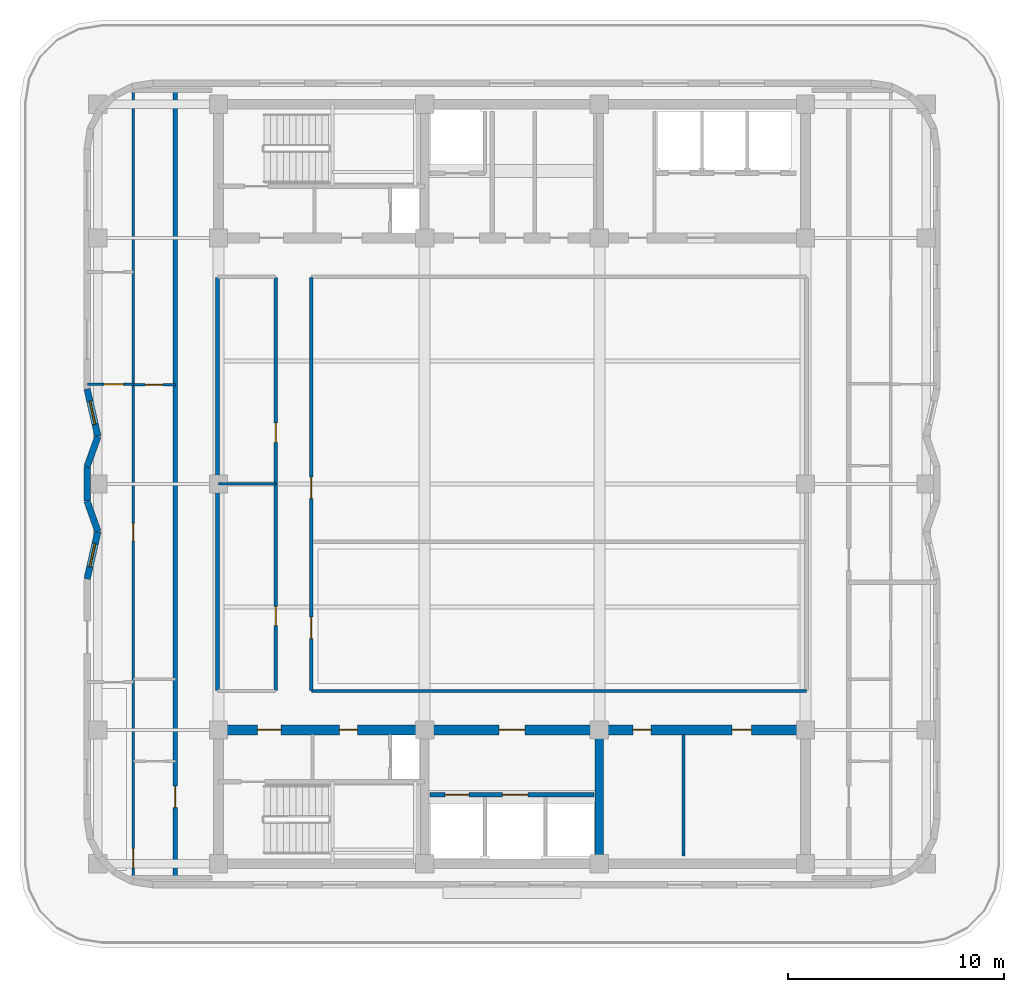
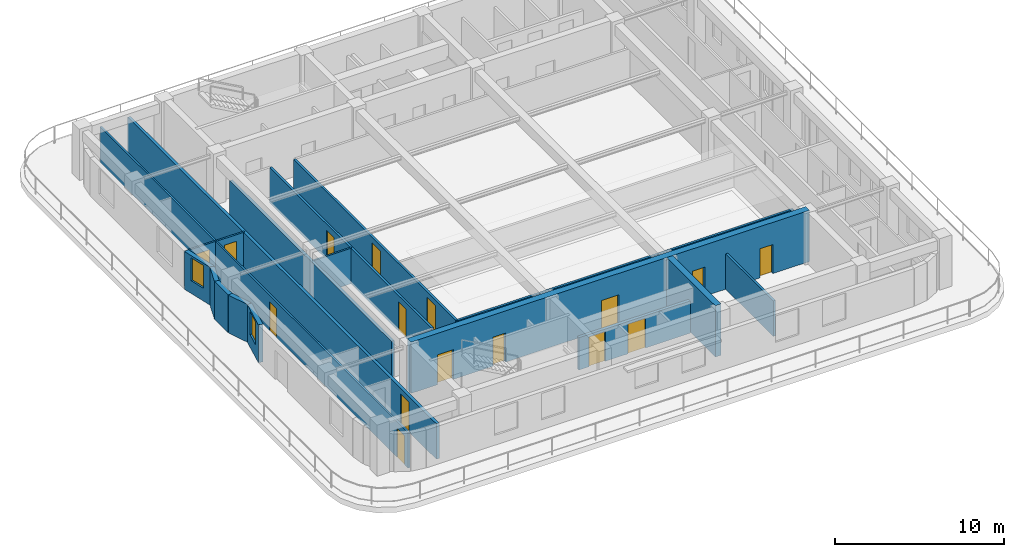
# One storey, part 3 of 9: 18 walls, 16 doors, 2 windows, 18 openings.
"""IFC4 building model written with IfcOpenShell, lengths in metres."""

from ifc_helpers import new_model, si_unit, direction, frame, frame_2d, origin, place, context, subcontext, project, spatial, rectangle, extrude, material, layer, layer_set, type_object, element, fill, save


model = new_model("IFC4")

# Units and contexts
model_context = context("Model", 3, precision=1e-05, world=origin(), true_north=direction((0.0, 1.0)))
body_context = subcontext(model_context, "Body", "Model", "MODEL_VIEW")
ifc_project = project(units=[si_unit("LENGTHUNIT", "METRE"), si_unit("AREAUNIT", "SQUARE_METRE"), si_unit("VOLUMEUNIT", "CUBIC_METRE"), si_unit("PLANEANGLEUNIT", "RADIAN"), si_unit("MASSUNIT", "GRAM", prefix="KILO")], contexts=[model_context])

# Site, building, storey
site_placement = place(None, origin())
site = spatial("IfcSite", under=ifc_project, at=site_placement, CompositionType="ELEMENT")
building_placement = place(site_placement, origin())
building = spatial("IfcBuilding", under=site, at=building_placement, Name="Svetorya Sky Lyceum", CompositionType="ELEMENT")
storey_placement = place(building_placement, frame((0.0, 0.0, 225.800048828125)))
storey = spatial("IfcBuildingStorey", under=building, at=storey_placement, Name="L56", CompositionType="ELEMENT", Elevation=225.800048828125)

# Wall
ifc_material_1 = material(Name="Concrete C40/50", Category="concrete")
ifc_layer_1 = layer(ifc_material_1, 0.39990234375)
ifc_layer_set_1 = layer_set([ifc_layer_1], Name="Concrete C40/50")
wall_type_1 = type_object("IfcWallType", Name="WL-CORE-400", PredefinedType="SHEAR", material=ifc_layer_set_1)
wall_1_placement = place(storey_placement, frame((43.25, 10.824951171875, 0.0), z_axis=(0.0, 0.0, 1.0), x_axis=(0.0, 1.0, 0.0)))
element("IfcWall", 1, at=wall_1_placement, inside=storey, type_object=wall_type_1, Name="L56 SC Internal Shear Web WEB2", PredefinedType="SHEAR", context=body_context, shape_type="SweptSolid", body=[
    extrude(rectangle(XDim=5.75, YDim=0.39990234375, at=frame_2d((2.875, 0.0))), origin(), (0.0, 0.0, 1.0), 3.699951171875),
])

# Wall, openings, doors
ifc_material_2 = material(Name="Concrete C50/60", Category="concrete")
ifc_layer_2 = layer(ifc_material_2, 0.449951171875)
ifc_layer_set_2 = layer_set([ifc_layer_2], Name="Concrete C50/60")
wall_type_2 = type_object("IfcWallType", Name="WL-CORE-450", PredefinedType="SHEAR", material=ifc_layer_set_2)
wall_2_placement = place(storey_placement, frame((25.60009765625, 16.800048828125, 0.0), z_axis=(0.0, 0.0, 1.0), x_axis=(1.0, 0.0, 0.0)))
wall_2 = element("IfcWall", 2, at=wall_2_placement, inside=storey, type_object=wall_type_2, Name="L56 SC Inner Core Shear Wall", PredefinedType="SHEAR", context=body_context, shape_type="SweptSolid", body=[
    extrude(rectangle(XDim=27.199951171875, YDim=0.449951171875, at=frame_2d((13.60009765625, 0.0))), origin(), (0.0, 0.0, 1.0), 3.699951171875),
])
opening_1_placement = place(wall_2_placement, frame((1.800048828125, 0.0, 0.0)))
opening_1 = element("IfcOpeningElement", 3, at=opening_1_placement, cuts=wall_2, Name="Opening D-ST1", PredefinedType="OPENING", context=body_context, shape_type="SweptSolid", body=[
    extrude(rectangle(XDim=1.10009765625, YDim=2.14990234375, at=frame_2d((0.550048828125, 1.074951171875))), frame((0.0, 0.23486328125, 0.0), z_axis=(0.0, -1.0, 0.0), x_axis=(1.0, 0.0, 0.0)), (0.0, 0.0, 1.0), 0.469970703125),
])
opening_2_placement = place(wall_2_placement, frame((5.60009765625, 0.0, 0.0)))
opening_2 = element("IfcOpeningElement", 4, at=opening_2_placement, cuts=wall_2, Name="Opening D-CWC1", PredefinedType="OPENING", context=body_context, shape_type="SweptSolid", body=[
    extrude(rectangle(XDim=0.85009765625, YDim=2.10009765625, at=frame_2d((0.425048828125, 1.050048828125))), frame((0.0, 0.23486328125, 0.0), z_axis=(0.0, -1.0, 0.0), x_axis=(1.0, 0.0, 0.0)), (0.0, 0.0, 1.0), 0.469970703125),
])
opening_3_placement = place(wall_2_placement, frame((13.0, 0.0, 0.0)))
opening_3 = element("IfcOpeningElement", 5, at=opening_3_placement, cuts=wall_2, Name="Opening D-FL1", PredefinedType="OPENING", context=body_context, shape_type="SweptSolid", body=[
    extrude(rectangle(XDim=1.199951171875, YDim=2.14990234375, at=frame_2d((0.60009765625, 1.074951171875))), frame((0.0, 0.23486328125, 0.0), z_axis=(0.0, -1.0, 0.0), x_axis=(1.0, 0.0, 0.0)), (0.0, 0.0, 1.0), 0.469970703125),
])
opening_4_placement = place(wall_2_placement, frame((19.199951171875, 0.0, 0.0)))
opening_4 = element("IfcOpeningElement", 6, at=opening_4_placement, cuts=wall_2, Name="Opening D-CWC1", PredefinedType="OPENING", context=body_context, shape_type="SweptSolid", body=[
    extrude(rectangle(XDim=0.85009765625, YDim=2.10009765625, at=frame_2d((0.425048828125, 1.050048828125))), frame((0.0, 0.23486328125, 0.0), z_axis=(0.0, -1.0, 0.0), x_axis=(1.0, 0.0, 0.0)), (0.0, 0.0, 1.0), 0.469970703125),
])
opening_5_placement = place(wall_2_placement, frame((23.800048828125, 0.0, 0.0)))
opening_5 = element("IfcOpeningElement", 7, at=opening_5_placement, cuts=wall_2, Name="Opening D-RM1", PredefinedType="OPENING", context=body_context, shape_type="SweptSolid", body=[
    extrude(rectangle(XDim=0.89990234375, YDim=2.10009765625, at=frame_2d((0.449951171875, 1.050048828125))), frame((0.0, 0.23486328125, 0.0), z_axis=(0.0, -1.0, 0.0), x_axis=(1.0, 0.0, 0.0)), (0.0, 0.0, 1.0), 0.469970703125),
])
ifc_material_3 = material(Name="Fire-rated galvanized steel core service closet door", Category="steel")
door_type_1 = type_object("IfcDoorType", Name="DR-CWET-850", OperationType="SINGLE_SWING_LEFT", PredefinedType="DOOR", material=ifc_material_3)
door_1_placement = place(opening_2_placement, origin())
door_1 = element("IfcDoor", 8, at=door_1_placement, inside=storey, type_object=door_type_1, Name="L56 South Hydrant Room Door", OperationType="SINGLE_SWING_LEFT", OverallHeight=2.10009765625, OverallWidth=0.85009765625, PredefinedType="DOOR", context=body_context, shape_type="SweptSolid", body=[
    extrude(rectangle(XDim=0.85009765625, YDim=2.10009765625, at=frame_2d((0.425048828125, 1.050048828125))), frame((0.0, 0.02490234375, 0.0), z_axis=(0.0, -1.0, 0.0), x_axis=(1.0, 0.0, 0.0)), (0.0, 0.0, 1.0), 0.050048828125),
])
fill(opening_2, door_1)
door_2_placement = place(opening_4_placement, origin())
door_2 = element("IfcDoor", 9, at=door_2_placement, inside=storey, type_object=door_type_1, Name="L56 Laundry Door", OperationType="SINGLE_SWING_RIGHT", OverallHeight=2.10009765625, OverallWidth=0.85009765625, PredefinedType="DOOR", context=body_context, shape_type="SweptSolid", body=[
    extrude(rectangle(XDim=0.85009765625, YDim=2.10009765625, at=frame_2d((0.425048828125, 1.050048828125))), frame((0.0, 0.02490234375, 0.0), z_axis=(0.0, -1.0, 0.0), x_axis=(1.0, 0.0, 0.0)), (0.0, 0.0, 1.0), 0.050048828125),
])
fill(opening_4, door_2)
ifc_material_4 = material(Name="Powder-coated insulated galvanized stair fire door")
door_type_2 = type_object("IfcDoorType", Name="DR-FIRE-1100", OperationType="SINGLE_SWING_LEFT", PredefinedType="DOOR", material=ifc_material_4)
door_3_placement = place(opening_1_placement, origin())
door_3 = element("IfcDoor", 10, at=door_3_placement, inside=storey, type_object=door_type_2, Name="L56 South Stair Airlock Door", OperationType="SINGLE_SWING_RIGHT", OverallHeight=2.14990234375, OverallWidth=1.10009765625, PredefinedType="DOOR", context=body_context, shape_type="SweptSolid", body=[
    extrude(rectangle(XDim=1.10009765625, YDim=2.14990234375, at=frame_2d((0.550048828125, 1.074951171875))), frame((0.0, 0.02490234375, 0.0), z_axis=(0.0, -1.0, 0.0), x_axis=(1.0, 0.0, 0.0)), (0.0, 0.0, 1.0), 0.050048828125),
])
fill(opening_1, door_3)
ifc_material_5 = material(Name="Powder-coated insulated galvanized fire door")
door_type_3 = type_object("IfcDoorType", Name="DR-FIRE-1200", OperationType="SINGLE_SWING_LEFT", PredefinedType="DOOR", material=ifc_material_5)
door_4_placement = place(opening_3_placement, origin())
door_4 = element("IfcDoor", 11, at=door_4_placement, inside=storey, type_object=door_type_3, Name="L56 South Firefighting Lift Lobby Door", OperationType="SINGLE_SWING_LEFT", OverallHeight=2.14990234375, OverallWidth=1.199951171875, PredefinedType="DOOR", context=body_context, shape_type="SweptSolid", body=[
    extrude(rectangle(XDim=1.199951171875, YDim=2.14990234375, at=frame_2d((0.60009765625, 1.074951171875))), frame((0.0, 0.02490234375, 0.0), z_axis=(0.0, -1.0, 0.0), x_axis=(1.0, 0.0, 0.0)), (0.0, 0.0, 1.0), 0.050048828125),
])
fill(opening_3, door_4)
ifc_material_6 = material(Name="Lacquered birch veneer internal door")
door_type_4 = type_object("IfcDoorType", Name="DR-INT-900", OperationType="SINGLE_SWING_LEFT", PredefinedType="DOOR", material=ifc_material_6)
door_5_placement = place(opening_5_placement, origin())
door_5 = element("IfcDoor", 12, at=door_5_placement, inside=storey, type_object=door_type_4, Name="L56 Pantry Door", OperationType="SINGLE_SWING_LEFT", OverallHeight=2.10009765625, OverallWidth=0.89990234375, PredefinedType="DOOR", context=body_context, shape_type="SweptSolid", body=[
    extrude(rectangle(XDim=0.89990234375, YDim=2.10009765625, at=frame_2d((0.449951171875, 1.050048828125))), frame((0.0, 0.02490234375, 0.0), z_axis=(0.0, -1.0, 0.0), x_axis=(1.0, 0.0, 0.0)), (0.0, 0.0, 1.0), 0.050048828125),
])
fill(opening_5, door_5)

# Wall, opening, window
ifc_material_7 = material(Name="Putilovo limestone rainscreen on autoclaved cellular masonry", Category="masonry")
ifc_layer_3 = layer(ifc_material_7, 0.300048828125)
ifc_layer_set_3 = layer_set([ifc_layer_3], Name="Putilovo limestone rainscreen on autoclaved cellular masonry")
wall_type_3 = type_object("IfcWallType", Name="WL-EXT-300", PredefinedType="SOLIDWALL", material=ifc_layer_set_3)
wall_3_placement = place(storey_placement, frame((19.510009765625, 32.60009765625, 0.0), z_axis=(0.0, 0.0, 1.0), x_axis=(0.221602396322, -0.975137107254, 0.0)))
wall_3 = element("IfcWall", 13, at=wall_3_placement, inside=storey, type_object=wall_type_3, Name="L56 Limestone Exterior Wall 31M", PredefinedType="SOLIDWALL", context=body_context, shape_type="SweptSolid", body=[
    extrude(rectangle(XDim=2.25634765625, YDim=0.300048828125, at=frame_2d((1.128173828125, 0.0))), origin(), (0.0, 0.0, 1.0), 2.72998046875),
])
opening_6_placement = place(wall_3_placement, frame((0.578125, 0.0, 0.919921875)))
opening_6 = element("IfcOpeningElement", 14, at=opening_6_placement, cuts=wall_3, Name="Opening W-R3", PredefinedType="OPENING", context=body_context, shape_type="SweptSolid", body=[
    extrude(rectangle(XDim=1.10009765625, YDim=1.64990234375, at=frame_2d((0.550048828125, 0.824951171875))), frame((0.0, 0.159912109375, 0.0), z_axis=(0.0, -1.0, 0.0), x_axis=(1.0, 0.0, 0.0)), (0.0, 0.0, 1.0), 0.320068359375),
])
ifc_material_8 = material(Name="Thermally broken aluminium frame with triple low-E glazing", Category="aluminium")
window_type = type_object("IfcWindowType", Name="WN-RES-110", PartitioningType="SINGLE_PANEL", PredefinedType="WINDOW", material=ifc_material_8)
window_1_placement = place(opening_6_placement, origin())
window_1 = element("IfcWindow", 15, at=window_1_placement, inside=storey, type_object=window_type, Name="L56 Facade Window W-R3.31M.1", OverallHeight=1.64990234375, OverallWidth=1.10009765625, PartitioningType="SINGLE_PANEL", PredefinedType="WINDOW", context=body_context, shape_type="SweptSolid", body=[
    extrude(rectangle(XDim=1.10009765625, YDim=1.64990234375, at=frame_2d((0.550048828125, 0.824951171875))), frame((0.0, 0.030029296875, 0.0), z_axis=(0.0, -1.0, 0.0), x_axis=(1.0, 0.0, 0.0)), (0.0, 0.0, 1.0), 0.06005859375),
])
fill(opening_6, window_1)

# Walls
wall_4_placement = place(storey_placement, frame((20.010009765625, 30.39990234375, 0.0), z_axis=(0.0, 0.0, 1.0), x_axis=(-0.336357205213, -0.94173447983, 0.0)))
element("IfcWall", 16, at=wall_4_placement, inside=storey, type_object=wall_type_3, Name="L56 Limestone Exterior Wall 32M", PredefinedType="SOLIDWALL", context=body_context, shape_type="SweptSolid", body=[
    extrude(rectangle(XDim=1.486572265625, YDim=0.300048828125, at=frame_2d((0.7431640625, 0.0))), origin(), (0.0, 0.0, 1.0), 2.72998046875),
])
wall_5_placement = place(storey_placement, frame((19.510009765625, 29.0, 0.0), z_axis=(0.0, 0.0, 1.0), x_axis=(0.0, -1.0, 0.0)))
element("IfcWall", 17, at=wall_5_placement, inside=storey, type_object=wall_type_3, Name="L56 Limestone Exterior Wall 33M", PredefinedType="SOLIDWALL", context=body_context, shape_type="SweptSolid", body=[
    extrude(rectangle(XDim=1.60009765625, YDim=0.300048828125, at=frame_2d((0.800048828125, 0.0))), origin(), (0.0, 0.0, 1.0), 2.72998046875),
])
wall_6_placement = place(storey_placement, frame((19.510009765625, 27.39990234375, 0.0), z_axis=(0.0, 0.0, 1.0), x_axis=(0.336357205213, -0.94173447983, 0.0)))
element("IfcWall", 18, at=wall_6_placement, inside=storey, type_object=wall_type_3, Name="L56 Limestone Exterior Wall 34M", PredefinedType="SOLIDWALL", context=body_context, shape_type="SweptSolid", body=[
    extrude(rectangle(XDim=1.486572265625, YDim=0.300048828125, at=frame_2d((0.7431640625, 0.0))), origin(), (0.0, 0.0, 1.0), 2.72998046875),
])

# Wall, opening, window
wall_7_placement = place(storey_placement, frame((20.010009765625, 26.0, 0.0), z_axis=(0.0, 0.0, 1.0), x_axis=(-0.221625780886, -0.975131792758, 0.0)))
wall_7 = element("IfcWall", 19, at=wall_7_placement, inside=storey, type_object=wall_type_3, Name="L56 Limestone Exterior Wall 35M", PredefinedType="SOLIDWALL", context=body_context, shape_type="SweptSolid", body=[
    extrude(rectangle(XDim=2.256103515625, YDim=0.300048828125, at=frame_2d((1.1279296875, 0.0))), origin(), (0.0, 0.0, 1.0), 2.72998046875),
])
opening_7_placement = place(wall_7_placement, frame((0.578125, 0.0, 0.919921875)))
opening_7 = element("IfcOpeningElement", 20, at=opening_7_placement, cuts=wall_7, Name="Opening W-R3", PredefinedType="OPENING", context=body_context, shape_type="SweptSolid", body=[
    extrude(rectangle(XDim=1.10009765625, YDim=1.64990234375, at=frame_2d((0.550048828125, 0.824951171875))), frame((0.0, 0.159912109375, 0.0), z_axis=(0.0, -1.0, 0.0), x_axis=(1.0, 0.0, 0.0)), (0.0, 0.0, 1.0), 0.320068359375),
])
window_2_placement = place(opening_7_placement, origin())
window_2 = element("IfcWindow", 21, at=window_2_placement, inside=storey, type_object=window_type, Name="L56 Facade Window W-R3.35M.1", OverallHeight=1.64990234375, OverallWidth=1.10009765625, PartitioningType="SINGLE_PANEL", PredefinedType="WINDOW", context=body_context, shape_type="SweptSolid", body=[
    extrude(rectangle(XDim=1.10009765625, YDim=1.64990234375, at=frame_2d((0.550048828125, 0.824951171875))), frame((0.0, 0.030029296875, 0.0), z_axis=(0.0, -1.0, 0.0), x_axis=(1.0, 0.0, 0.0)), (0.0, 0.0, 1.0), 0.06005859375),
])
fill(opening_7, window_2)

# Wall
ifc_material_9 = material(Name="Twin-stud galvanized framing with double fireboard", Category="gypsum")
ifc_layer_4 = layer(ifc_material_9, 0.1201171875)
ifc_layer_set_4 = layer_set([ifc_layer_4], Name="Twin-stud galvanized framing with double fireboard")
wall_type_4 = type_object("IfcWallType", Name="WL-PART-120", PredefinedType="PARTITIONING", material=ifc_layer_set_4)
wall_8_placement = place(storey_placement, frame((25.60009765625, 28.199951171875, 0.0), z_axis=(0.0, 0.0, 1.0), x_axis=(1.0, 0.0, 0.0)))
element("IfcWall", 22, at=wall_8_placement, inside=storey, type_object=wall_type_4, Name="L56 Interior Partition OFF-HW", PredefinedType="PARTITIONING", context=body_context, shape_type="SweptSolid", body=[
    extrude(rectangle(XDim=2.659912109375, YDim=0.1201171875, at=frame_2d((1.330078125, 0.0))), origin(), (0.0, 0.0, 1.0), 2.56005859375),
])

# Wall, opening, door
wall_9_placement = place(storey_placement, frame((21.64990234375, 32.800048828125, 0.0), z_axis=(0.0, 0.0, 1.0), x_axis=(1.0, 0.0, 0.0)))
wall_9 = element("IfcWall", 23, at=wall_9_placement, inside=storey, type_object=wall_type_4, Name="L56 Interior Partition W1-WH3", PredefinedType="PARTITIONING", context=body_context, shape_type="SweptSolid", body=[
    extrude(rectangle(XDim=1.9501953125, YDim=0.1201171875, at=frame_2d((0.97509765625, 0.0))), origin(), (0.0, 0.0, 1.0), 2.56005859375),
])
opening_8_placement = place(wall_9_placement, frame((0.550048828125, 0.0, 0.0)))
opening_8 = element("IfcOpeningElement", 24, at=opening_8_placement, cuts=wall_9, Name="Opening D-BT2", PredefinedType="OPENING", context=body_context, shape_type="SweptSolid", body=[
    extrude(rectangle(XDim=0.820068359375, YDim=2.080078125, at=frame_2d((0.41015625, 1.0400390625))), frame((0.0, 0.070068359375, 0.0), z_axis=(0.0, -1.0, 0.0), x_axis=(1.0, 0.0, 0.0)), (0.0, 0.0, 1.0), 0.14013671875),
])
ifc_material_10 = material(Name="Compact moisture-resistant laminate closet door")
door_type_5 = type_object("IfcDoorType", Name="DR-WET-820", OperationType="SINGLE_SWING_LEFT", PredefinedType="DOOR", material=ifc_material_10)
door_6_placement = place(opening_8_placement, origin())
door_6 = element("IfcDoor", 25, at=door_6_placement, inside=storey, type_object=door_type_5, Name="Apartment W1 Laundry Door", OperationType="SINGLE_SWING_RIGHT", OverallHeight=2.080078125, OverallWidth=0.820068359375, PredefinedType="DOOR", context=body_context, shape_type="SweptSolid", body=[
    extrude(rectangle(XDim=0.820068359375, YDim=2.080078125, at=frame_2d((0.41015625, 1.0400390625))), frame((0.0, 0.02490234375, 0.0), z_axis=(0.0, -1.0, 0.0), x_axis=(1.0, 0.0, 0.0)), (0.0, 0.0, 1.0), 0.050048828125),
])
fill(opening_8, door_6)

wall_10_placement = place(storey_placement, frame((19.530029296875, 32.820068359375, 0.0), z_axis=(0.0, 0.0, 1.0), x_axis=(1.0, 0.0, 0.0)))
wall_10 = element("IfcWall", 26, at=wall_10_placement, inside=storey, type_object=wall_type_4, Name="L56 Interior Partition W1-WL2", PredefinedType="PARTITIONING", context=body_context, shape_type="SweptSolid", body=[
    extrude(rectangle(XDim=2.119873046875, YDim=0.1201171875, at=frame_2d((1.06005859375, 0.0))), origin(), (0.0, 0.0, 1.0), 2.56005859375),
])
opening_9_placement = place(wall_10_placement, frame((0.77001953125, 0.0, 0.0)))
opening_9 = element("IfcOpeningElement", 27, at=opening_9_placement, cuts=wall_10, Name="Opening D-RM1", PredefinedType="OPENING", context=body_context, shape_type="SweptSolid", body=[
    extrude(rectangle(XDim=0.89990234375, YDim=2.10009765625, at=frame_2d((0.449951171875, 1.050048828125))), frame((0.0, 0.070068359375, 0.0), z_axis=(0.0, -1.0, 0.0), x_axis=(1.0, 0.0, 0.0)), (0.0, 0.0, 1.0), 0.14013671875),
])
door_7_placement = place(opening_9_placement, origin())
door_7 = element("IfcDoor", 28, at=door_7_placement, inside=storey, type_object=door_type_4, Name="Apartment W1 Bedroom 2 Door", OperationType="SINGLE_SWING_RIGHT", OverallHeight=2.10009765625, OverallWidth=0.89990234375, PredefinedType="DOOR", context=body_context, shape_type="SweptSolid", body=[
    extrude(rectangle(XDim=0.89990234375, YDim=2.10009765625, at=frame_2d((0.449951171875, 1.050048828125))), frame((0.0, 0.02490234375, 0.0), z_axis=(0.0, -1.0, 0.0), x_axis=(1.0, 0.0, 0.0)), (0.0, 0.0, 1.0), 0.050048828125),
])
fill(opening_9, door_7)

# Wall, openings, doors
wall_11_placement = place(storey_placement, frame((21.64990234375, 9.989990234375, 0.0), z_axis=(0.0, 0.0, 1.0), x_axis=(0.0, 1.0, 0.0)))
wall_11 = element("IfcWall", 29, at=wall_11_placement, inside=storey, type_object=wall_type_4, Name="L56 Interior Partition W1-WV", PredefinedType="PARTITIONING", context=body_context, shape_type="SweptSolid", body=[
    extrude(rectangle(XDim=36.419921875, YDim=0.1201171875, at=frame_2d((18.2099609375, 0.0))), origin(), (0.0, 0.0, 1.0), 2.56005859375),
])
opening_10_placement = place(wall_11_placement, frame((0.409912109375, 0.0, 0.0)))
opening_10 = element("IfcOpeningElement", 30, at=opening_10_placement, cuts=wall_11, Name="Opening D-RM1", PredefinedType="OPENING", context=body_context, shape_type="SweptSolid", body=[
    extrude(rectangle(XDim=0.89990234375, YDim=2.10009765625, at=frame_2d((0.449951171875, 1.050048828125))), frame((0.0, 0.070068359375, 0.0), z_axis=(0.0, -1.0, 0.0), x_axis=(1.0, 0.0, 0.0)), (0.0, 0.0, 1.0), 0.14013671875),
])
opening_11_placement = place(wall_11_placement, frame((15.56005859375, 0.0, 0.0)))
opening_11 = element("IfcOpeningElement", 31, at=opening_11_placement, cuts=wall_11, Name="Opening D-BT2", PredefinedType="OPENING", context=body_context, shape_type="SweptSolid", body=[
    extrude(rectangle(XDim=0.820068359375, YDim=2.080078125, at=frame_2d((0.41015625, 1.0400390625))), frame((0.0, 0.070068359375, 0.0), z_axis=(0.0, -1.0, 0.0), x_axis=(1.0, 0.0, 0.0)), (0.0, 0.0, 1.0), 0.14013671875),
])
door_8_placement = place(opening_10_placement, origin())
door_8 = element("IfcDoor", 32, at=door_8_placement, inside=storey, type_object=door_type_4, Name="Apartment W1 Living Door", OperationType="SINGLE_SWING_RIGHT", OverallHeight=2.10009765625, OverallWidth=0.89990234375, PredefinedType="DOOR", context=body_context, shape_type="SweptSolid", body=[
    extrude(rectangle(XDim=0.89990234375, YDim=2.10009765625, at=frame_2d((0.449951171875, 1.050048828125))), frame((0.0, 0.02490234375, 0.0), z_axis=(0.0, -1.0, 0.0), x_axis=(1.0, 0.0, 0.0)), (0.0, 0.0, 1.0), 0.050048828125),
])
fill(opening_10, door_8)
door_9_placement = place(opening_11_placement, origin())
door_9 = element("IfcDoor", 33, at=door_9_placement, inside=storey, type_object=door_type_5, Name="Apartment W1 Study Door", OperationType="SINGLE_SWING_LEFT", OverallHeight=2.080078125, OverallWidth=0.820068359375, PredefinedType="DOOR", context=body_context, shape_type="SweptSolid", body=[
    extrude(rectangle(XDim=0.820068359375, YDim=2.080078125, at=frame_2d((0.41015625, 1.0400390625))), frame((0.0, 0.02490234375, 0.0), z_axis=(0.0, -1.0, 0.0), x_axis=(1.0, 0.0, 0.0)), (0.0, 0.0, 1.0), 0.050048828125),
])
fill(opening_11, door_9)

# Walls
ifc_material_11 = material(Name="Autoclaved cellular masonry blockwork with acoustic render", Category="masonry")
ifc_layer_5 = layer(ifc_material_11, 0.14990234375)
ifc_layer_set_5 = layer_set([ifc_layer_5], Name="Autoclaved cellular masonry blockwork with acoustic render")
wall_type_5 = type_object("IfcWallType", Name="WL-PART-150", PredefinedType="PARTITIONING", material=ifc_layer_set_5)
wall_12_placement = place(storey_placement, frame((47.14990234375, 10.949951171875, 0.0), z_axis=(0.0, 0.0, 1.0), x_axis=(0.0, 1.0, 0.0)))
element("IfcWall", 34, at=wall_12_placement, inside=storey, type_object=wall_type_5, Name="L56 Interior Partition SC-LV7-VA", PredefinedType="PARTITIONING", context=body_context, shape_type="SweptSolid", body=[
    extrude(rectangle(XDim=5.630126953125, YDim=0.14990234375, at=frame_2d((2.81494140625, 0.0))), origin(), (0.0, 0.0, 1.0), 2.56005859375),
])
wall_13_placement = place(storey_placement, frame((29.89990234375, 18.60009765625, 0.0), z_axis=(0.0, 0.0, 1.0), x_axis=(1.0, 0.0, 0.0)))
element("IfcWall", 35, at=wall_13_placement, inside=storey, type_object=wall_type_5, Name="L56 Interior Partition OFF-CS-E", PredefinedType="PARTITIONING", context=body_context, shape_type="SweptSolid", body=[
    extrude(rectangle(XDim=22.9501953125, YDim=0.14990234375, at=frame_2d((11.47509765625, 0.0))), origin(), (0.0, 0.0, 1.0), 2.56005859375),
])

# Wall, openings, doors
wall_14_placement = place(storey_placement, frame((28.25, 18.6298828125, 0.0), z_axis=(0.0, 0.0, 1.0), x_axis=(0.0, 1.0, 0.0)))
wall_14 = element("IfcWall", 36, at=wall_14_placement, inside=storey, type_object=wall_type_5, Name="L56 Interior Partition OFF-VW", PredefinedType="PARTITIONING", context=body_context, shape_type="SweptSolid", body=[
    extrude(rectangle(XDim=19.14013671875, YDim=0.14990234375, at=frame_2d((9.570068359375, 0.0))), origin(), (0.0, 0.0, 1.0), 2.56005859375),
])
opening_12_placement = place(wall_14_placement, frame((3.0, 0.0, 0.0)))
opening_12 = element("IfcOpeningElement", 37, at=opening_12_placement, cuts=wall_14, Name="Opening D-RM1", PredefinedType="OPENING", context=body_context, shape_type="SweptSolid", body=[
    extrude(rectangle(XDim=0.89990234375, YDim=2.10009765625, at=frame_2d((0.449951171875, 1.050048828125))), frame((0.0, 0.0849609375, 0.0), z_axis=(0.0, -1.0, 0.0), x_axis=(1.0, 0.0, 0.0)), (0.0, 0.0, 1.0), 0.169921875),
])
opening_13_placement = place(wall_14_placement, frame((11.5, 0.0, 0.0)))
opening_13 = element("IfcOpeningElement", 38, at=opening_13_placement, cuts=wall_14, Name="Opening D-RM1", PredefinedType="OPENING", context=body_context, shape_type="SweptSolid", body=[
    extrude(rectangle(XDim=0.89990234375, YDim=2.10009765625, at=frame_2d((0.449951171875, 1.050048828125))), frame((0.0, 0.0849609375, 0.0), z_axis=(0.0, -1.0, 0.0), x_axis=(1.0, 0.0, 0.0)), (0.0, 0.0, 1.0), 0.169921875),
])
door_10_placement = place(opening_12_placement, origin())
door_10 = element("IfcDoor", 39, at=door_10_placement, inside=storey, type_object=door_type_4, Name="L56 Study Door", OperationType="SINGLE_SWING_LEFT", OverallHeight=2.10009765625, OverallWidth=0.89990234375, PredefinedType="DOOR", context=body_context, shape_type="SweptSolid", body=[
    extrude(rectangle(XDim=0.89990234375, YDim=2.10009765625, at=frame_2d((0.449951171875, 1.050048828125))), frame((0.0, 0.02490234375, 0.0), z_axis=(0.0, -1.0, 0.0), x_axis=(1.0, 0.0, 0.0)), (0.0, 0.0, 1.0), 0.050048828125),
])
fill(opening_12, door_10)
door_11_placement = place(opening_13_placement, origin())
door_11 = element("IfcDoor", 40, at=door_11_placement, inside=storey, type_object=door_type_4, Name="L56 Focus Door", OperationType="SINGLE_SWING_RIGHT", OverallHeight=2.10009765625, OverallWidth=0.89990234375, PredefinedType="DOOR", context=body_context, shape_type="SweptSolid", body=[
    extrude(rectangle(XDim=0.89990234375, YDim=2.10009765625, at=frame_2d((0.449951171875, 1.050048828125))), frame((0.0, 0.02490234375, 0.0), z_axis=(0.0, -1.0, 0.0), x_axis=(1.0, 0.0, 0.0)), (0.0, 0.0, 1.0), 0.050048828125),
])
fill(opening_13, door_11)

wall_15_placement = place(storey_placement, frame((29.89990234375, 18.6298828125, 0.0), z_axis=(0.0, 0.0, 1.0), x_axis=(0.0, 1.0, 0.0)))
wall_15 = element("IfcWall", 41, at=wall_15_placement, inside=storey, type_object=wall_type_5, Name="L56 Interior Partition OFF-VE", PredefinedType="PARTITIONING", context=body_context, shape_type="SweptSolid", body=[
    extrude(rectangle(XDim=19.14013671875, YDim=0.14990234375, at=frame_2d((9.570068359375, 0.0))), origin(), (0.0, 0.0, 1.0), 2.56005859375),
])
opening_14_placement = place(wall_15_placement, frame((2.39990234375, 0.0, 0.0)))
opening_14 = element("IfcOpeningElement", 42, at=opening_14_placement, cuts=wall_15, Name="Opening D-RM2", PredefinedType="OPENING", context=body_context, shape_type="SweptSolid", body=[
    extrude(rectangle(XDim=1.0, YDim=2.14990234375, at=frame_2d((0.5, 1.074951171875))), frame((0.0, 0.0849609375, 0.0), z_axis=(0.0, -1.0, 0.0), x_axis=(1.0, 0.0, 0.0)), (0.0, 0.0, 1.0), 0.169921875),
])
opening_15_placement = place(wall_15_placement, frame((8.890380859375, 0.0, 0.0)))
opening_15 = element("IfcOpeningElement", 43, at=opening_15_placement, cuts=wall_15, Name="Opening D-RM2", PredefinedType="OPENING", context=body_context, shape_type="SweptSolid", body=[
    extrude(rectangle(XDim=1.0, YDim=2.14990234375, at=frame_2d((0.5, 1.074951171875))), frame((0.0, 0.0849609375, 0.0), z_axis=(0.0, -1.0, 0.0), x_axis=(1.0, 0.0, 0.0)), (0.0, 0.0, 1.0), 0.169921875),
])
ifc_material_12 = material(Name="Solid-core oak acoustic room door")
door_type_6 = type_object("IfcDoorType", Name="DR-INT-1000", OperationType="SINGLE_SWING_LEFT", PredefinedType="DOOR", material=ifc_material_12)
door_12_placement = place(opening_14_placement, origin())
door_12 = element("IfcDoor", 44, at=door_12_placement, inside=storey, type_object=door_type_6, Name="L56 Club Door", OperationType="SINGLE_SWING_RIGHT", OverallHeight=2.14990234375, OverallWidth=1.0, PredefinedType="DOOR", context=body_context, shape_type="SweptSolid", body=[
    extrude(rectangle(XDim=1.0, YDim=2.14990234375, at=frame_2d((0.5, 1.074951171875))), frame((0.0, 0.02490234375, 0.0), z_axis=(0.0, -1.0, 0.0), x_axis=(1.0, 0.0, 0.0)), (0.0, 0.0, 1.0), 0.050048828125),
])
fill(opening_14, door_12)
door_13_placement = place(opening_15_placement, origin())
door_13 = element("IfcDoor", 45, at=door_13_placement, inside=storey, type_object=door_type_6, Name="L56 Seminar Door", OperationType="SINGLE_SWING_LEFT", OverallHeight=2.14990234375, OverallWidth=1.0, PredefinedType="DOOR", context=body_context, shape_type="SweptSolid", body=[
    extrude(rectangle(XDim=1.0, YDim=2.14990234375, at=frame_2d((0.5, 1.074951171875))), frame((0.0, 0.02490234375, 0.0), z_axis=(0.0, -1.0, 0.0), x_axis=(1.0, 0.0, 0.0)), (0.0, 0.0, 1.0), 0.050048828125),
])
fill(opening_15, door_13)

ifc_material_13 = material(Name="Autoclaved cellular masonry blockwork with gypsum plaster", Category="masonry")
ifc_layer_6 = layer(ifc_material_13, 0.199951171875)
ifc_layer_set_6 = layer_set([ifc_layer_6], Name="Autoclaved cellular masonry blockwork with gypsum plaster")
wall_type_6 = type_object("IfcWallType", Name="WL-PART-200", PredefinedType="PARTITIONING", material=ifc_layer_set_6)
wall_16_placement = place(storey_placement, frame((35.39990234375, 13.800048828125, 0.0), z_axis=(0.0, 0.0, 1.0), x_axis=(1.0, 0.0, 0.0)))
wall_16 = element("IfcWall", 46, at=wall_16_placement, inside=storey, type_object=wall_type_6, Name="L56 Interior Partition SC-FLW", PredefinedType="PARTITIONING", context=body_context, shape_type="SweptSolid", body=[
    extrude(rectangle(XDim=7.60009765625, YDim=0.199951171875, at=frame_2d((3.800048828125, 0.0))), origin(), (0.0, 0.0, 1.0), 2.329833984375),
])
opening_16_placement = place(wall_16_placement, frame((0.699951171875, 0.0, 0.0)))
opening_16 = element("IfcOpeningElement", 47, at=opening_16_placement, cuts=wall_16, Name="Opening LD-FL", PredefinedType="OPENING", context=body_context, shape_type="SweptSolid", body=[
    extrude(rectangle(XDim=1.10009765625, YDim=2.14990234375, at=frame_2d((0.550048828125, 1.074951171875))), frame((0.0, 0.10986328125, 0.0), z_axis=(0.0, -1.0, 0.0), x_axis=(1.0, 0.0, 0.0)), (0.0, 0.0, 1.0), 0.219970703125),
])
opening_17_placement = place(wall_16_placement, frame((3.35009765625, 0.0, 0.0)))
opening_17 = element("IfcOpeningElement", 48, at=opening_17_placement, cuts=wall_16, Name="Opening LD-SV", PredefinedType="OPENING", context=body_context, shape_type="SweptSolid", body=[
    extrude(rectangle(XDim=1.199951171875, YDim=2.14990234375, at=frame_2d((0.60009765625, 1.074951171875))), frame((0.0, 0.10986328125, 0.0), z_axis=(0.0, -1.0, 0.0), x_axis=(1.0, 0.0, 0.0)), (0.0, 0.0, 1.0), 0.219970703125),
])
ifc_material_14 = material(Name="Fire-rated stainless AISI 304 firefighting lift landing door")
door_type_7 = type_object("IfcDoorType", Name="DR-LIFT-1100", OperationType="SLIDING_TO_LEFT", PredefinedType="DOOR", material=ifc_material_14)
door_14_placement = place(opening_16_placement, origin())
door_14 = element("IfcDoor", 49, at=door_14_placement, inside=storey, type_object=door_type_7, Name="L56 Firefighting Lift FL2 Landing Door", OperationType="SLIDING_TO_LEFT", OverallHeight=2.14990234375, OverallWidth=1.10009765625, PredefinedType="DOOR", context=body_context, shape_type="SweptSolid", body=[
    extrude(rectangle(XDim=1.10009765625, YDim=2.14990234375, at=frame_2d((0.550048828125, 1.074951171875))), frame((0.0, 0.02490234375, 0.0), z_axis=(0.0, -1.0, 0.0), x_axis=(1.0, 0.0, 0.0)), (0.0, 0.0, 1.0), 0.050048828125),
])
fill(opening_16, door_14)
ifc_material_15 = material(Name="Brushed stainless AISI 304 telescopic lift landing door")
door_type_8 = type_object("IfcDoorType", Name="DR-LIFT-1200", OperationType="SLIDING_TO_LEFT", PredefinedType="DOOR", material=ifc_material_15)
door_15_placement = place(opening_17_placement, origin())
door_15 = element("IfcDoor", 50, at=door_15_placement, inside=storey, type_object=door_type_8, Name="L56 Service Lift SVL1 Landing Door", OperationType="SLIDING_TO_LEFT", OverallHeight=2.14990234375, OverallWidth=1.199951171875, PredefinedType="DOOR", context=body_context, shape_type="SweptSolid", body=[
    extrude(rectangle(XDim=1.199951171875, YDim=2.14990234375, at=frame_2d((0.60009765625, 1.074951171875))), frame((0.0, 0.02490234375, 0.0), z_axis=(0.0, -1.0, 0.0), x_axis=(1.0, 0.0, 0.0)), (0.0, 0.0, 1.0), 0.050048828125),
])
fill(opening_17, door_15)

# Wall
wall_17_placement = place(storey_placement, frame((25.550048828125, 18.6298828125, 0.0), z_axis=(0.0, 0.0, 1.0), x_axis=(0.0, 1.0, 0.0)))
element("IfcWall", 51, at=wall_17_placement, inside=storey, type_object=wall_type_6, Name="L56 Interior Partition W-CEN-SEP", PredefinedType="PARTITIONING", context=body_context, shape_type="SweptSolid", body=[
    extrude(rectangle(XDim=19.14013671875, YDim=0.199951171875, at=frame_2d((9.570068359375, 0.0))), origin(), (0.0, 0.0, 1.0), 2.56005859375),
])

# Wall, opening, door
wall_18_placement = place(storey_placement, frame((23.60009765625, 9.949951171875, 0.0), z_axis=(0.0, 0.0, 1.0), x_axis=(0.0, 1.0, 0.0)))
wall_18 = element("IfcWall", 52, at=wall_18_placement, inside=storey, type_object=wall_type_6, Name="L56 Interior Partition W-CORRW", PredefinedType="PARTITIONING", context=body_context, shape_type="SweptSolid", body=[
    extrude(rectangle(XDim=36.5, YDim=0.199951171875, at=frame_2d((18.25, 0.0))), origin(), (0.0, 0.0, 1.0), 2.56005859375),
])
opening_18_placement = place(wall_18_placement, frame((3.25, 0.0, 0.0)))
opening_18 = element("IfcOpeningElement", 53, at=opening_18_placement, cuts=wall_18, Name="Opening D-APT1", PredefinedType="OPENING", context=body_context, shape_type="SweptSolid", body=[
    extrude(rectangle(XDim=1.0, YDim=2.14990234375, at=frame_2d((0.5, 1.074951171875))), frame((0.0, 0.10986328125, 0.0), z_axis=(0.0, -1.0, 0.0), x_axis=(1.0, 0.0, 0.0)), (0.0, 0.0, 1.0), 0.219970703125),
])
ifc_material_16 = material(Name="Insulated oak-veneered apartment entrance door")
door_type_9 = type_object("IfcDoorType", Name="DR-APT-1000", OperationType="SINGLE_SWING_LEFT", PredefinedType="DOOR", material=ifc_material_16)
door_16_placement = place(opening_18_placement, origin())
door_16 = element("IfcDoor", 54, at=door_16_placement, inside=storey, type_object=door_type_9, Name="L56 Apartment W1 Entrance Door", OperationType="SINGLE_SWING_LEFT", OverallHeight=2.14990234375, OverallWidth=1.0, PredefinedType="DOOR", context=body_context, shape_type="SweptSolid", body=[
    extrude(rectangle(XDim=1.0, YDim=2.14990234375, at=frame_2d((0.5, 1.074951171875))), frame((0.0, 0.02490234375, 0.0), z_axis=(0.0, -1.0, 0.0), x_axis=(1.0, 0.0, 0.0)), (0.0, 0.0, 1.0), 0.050048828125),
])
fill(opening_18, door_16)

save(model, "model.ifc")
